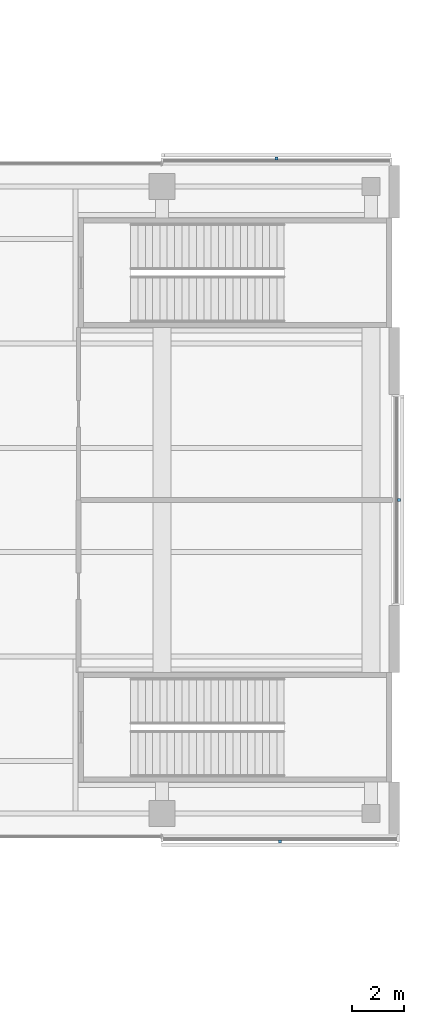
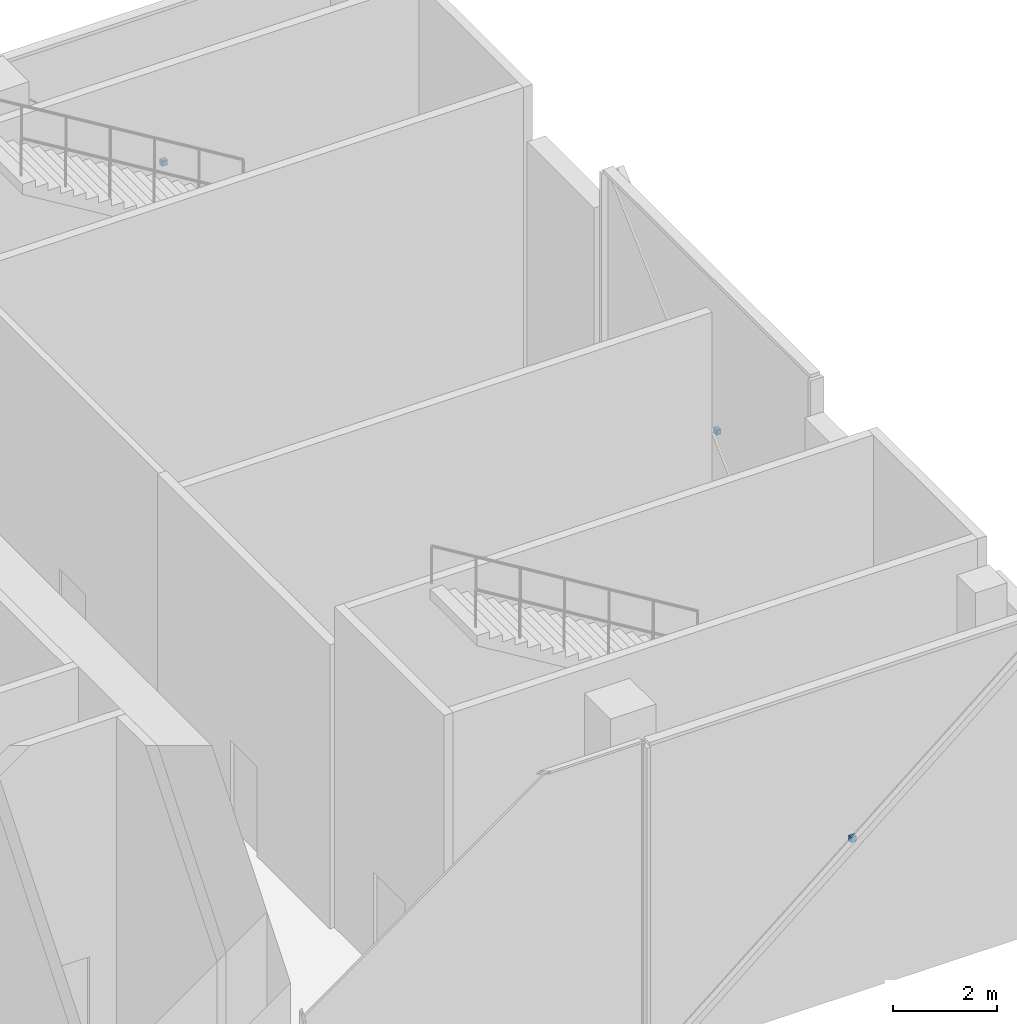
# One storey, part 22 of 25: 3 discrete accessories.
"""IFC4 building model written with IfcOpenShell, lengths in metres."""

import ifcopenshell
import ifcopenshell.guid

model = None  # the IFC model being written
_history = None  # IfcOwnerHistory: only IFC2X3 demands one
_inside = {}  # id of a spatial element -> (the spatial element, [elements in it])
_under = {}  # id of a project, library or spatial element -> (it, [spatial elements below it])
_declared = {}  # id of a project -> (the project, [libraries it declares])
_typed = {}  # id of a type object -> (the type object, [elements of that type])
_made_of = {}  # id of a material, layer set ... -> (it, [elements and type objects made of it])


def new_model(schema):
    """Start an empty IFC model of exactly this schema.

    Asked for "IFC4X3", IfcOpenShell would pick the latest addendum, in which some entities
    have other attributes; the version numbers below select the first issue.
    IFC2X3 requires an IfcOwnerHistory on every rooted entity: one is made here for all.
    """
    global model, _history
    if schema == "IFC4X3":
        model = ifcopenshell.file(schema_version=(4, 3, 0, 0))
    else:
        model = ifcopenshell.file(schema=schema)
    _inside.clear()
    _under.clear()
    _declared.clear()
    _typed.clear()
    _made_of.clear()
    _history = None
    if model.schema == "IFC2X3":
        org = make("IfcOrganization", Name="unknown")
        user = make(
            "IfcPersonAndOrganization",
            ThePerson=make("IfcPerson", FamilyName="unknown"),
            TheOrganization=org,
        )
        app = make(
            "IfcApplication",
            ApplicationDeveloper=org,
            Version="unknown",
            ApplicationFullName="unknown",
            ApplicationIdentifier="unknown",
        )
        _history = make(
            "IfcOwnerHistory",
            OwningUser=user,
            OwningApplication=app,
            ChangeAction="ADDED",
            CreationDate=0,
        )
    return model


def make(cls, **values):
    """One entity of the class cls with the attributes given. An attribute that is None is left unset."""
    return model.create_entity(
        cls, **{name: value for name, value in values.items() if value is not None}
    )


def rooted(cls, **values):
    """An entity with a GlobalId (a new one), such as an element, a storey or a relation."""
    return make(cls, GlobalId=ifcopenshell.guid.new(), OwnerHistory=_history, **values)


def si_unit(unit_type, name, prefix=None):
    """IfcSIUnit, for example si_unit("LENGTHUNIT", "METRE", prefix="MILLI")."""
    return make("IfcSIUnit", UnitType=unit_type, Prefix=prefix, Name=name)


def assignment(units):
    """IfcUnitAssignment: the units of a project."""
    return None if units is None else make("IfcUnitAssignment", Units=units)


def point(xyz):
    """IfcCartesianPoint."""
    return None if xyz is None else make("IfcCartesianPoint", Coordinates=xyz)


def direction(xyz):
    """IfcDirection."""
    return None if xyz is None else make("IfcDirection", DirectionRatios=xyz)


def frame(location, z_axis=None, x_axis=None):
    """IfcAxis2Placement3D, a coordinate frame: its origin and axes. An axis left out is left unset."""
    return make(
        "IfcAxis2Placement3D",
        Location=point(location),
        Axis=direction(z_axis),
        RefDirection=direction(x_axis),
    )


def frame_2d(location, x_axis=None):
    """IfcAxis2Placement2D, a coordinate frame in the plane: its origin and x axis."""
    return make(
        "IfcAxis2Placement2D", Location=point(location), RefDirection=direction(x_axis)
    )


def origin():
    """The frame at (0, 0, 0) with its axes left unset."""
    return frame((0.0, 0.0, 0.0))


def origin_2d():
    """The frame at (0, 0) in the plane with its x axis left unset."""
    return frame_2d((0.0, 0.0))


def place(relative_to, where):
    """IfcLocalPlacement: puts the frame where relative to a parent placement (None: the world)."""
    return make(
        "IfcLocalPlacement", PlacementRelTo=relative_to, RelativePlacement=where
    )


def context(
    kind, dimensions, precision=None, world=None, true_north=None, identifier=None
):
    """IfcGeometricRepresentationContext, for example the 3D "Model" context."""
    return make(
        "IfcGeometricRepresentationContext",
        ContextIdentifier=identifier,
        ContextType=kind,
        CoordinateSpaceDimension=dimensions,
        Precision=precision,
        WorldCoordinateSystem=world,
        TrueNorth=true_north,
    )


def subcontext(parent, identifier, kind, view, scale=None):
    """IfcGeometricRepresentationSubContext, for example "Body" below "Model"."""
    return make(
        "IfcGeometricRepresentationSubContext",
        ContextIdentifier=identifier,
        ContextType=kind,
        ParentContext=parent,
        TargetScale=scale,
        TargetView=view,
    )


def project(units=None, contexts=None):
    """IfcProject with its units and contexts."""
    return rooted(
        "IfcProject",
        Name="project",
        RepresentationContexts=contexts,
        UnitsInContext=assignment(units),
    )


def spatial(cls, under=None, at=None, **own):
    """A site, building, storey or space (cls), placed at a placement, below another one or the project."""
    s = rooted(cls, ObjectPlacement=at, **own)
    if under is not None:
        _under.setdefault(under.id(), (under, []))[1].append(s)
    return s


def profile(cls, at=None, kind="AREA", **sizes):
    """A parametric profile (cls). Its sizes go by their IFC names, for example OverallWidth=200.0."""
    return make(cls, ProfileType=kind, Position=at, **sizes)


def rectangle(**sizes):
    """IfcRectangleProfileDef."""
    return profile("IfcRectangleProfileDef", **sizes)


def extrude(swept, where, along, depth):
    """IfcExtrudedAreaSolid: the profile swept, set in the frame where, extruded along a direction by depth."""
    return make(
        "IfcExtrudedAreaSolid",
        SweptArea=swept,
        Position=where,
        ExtrudedDirection=direction(along),
        Depth=depth,
    )


def shape(context_of_items, identifier, shape_type, items):
    """IfcShapeRepresentation: the items that make up one representation, for example the "Body"."""
    return make(
        "IfcShapeRepresentation",
        ContextOfItems=context_of_items,
        RepresentationIdentifier=identifier,
        RepresentationType=shape_type,
        Items=items,
    )


def material(Name=None, Category=None):
    """IfcMaterial."""
    return make("IfcMaterial", Name=Name, Category=Category)


def made_of(thing, what):
    """Note that an element or type object is made of a material, layer set ...; save() writes the relation."""
    if what is not None:
        _made_of.setdefault(what.id(), (what, []))[1].append(thing)
    return thing


def type_object(cls, material=None, **own):
    """A type object (cls), such as IfcWallType, which elements share."""
    return made_of(rooted(cls, **own), material)


def element(
    cls,
    number,
    at=None,
    inside=None,
    cuts=None,
    type_object=None,
    material=None,
    context=None,
    identifier="Body",
    shape_type=None,
    held_by="IfcProductDefinitionShape",
    body=None,
    shapes=None,
    **own,
):
    """One element of the class cls, such as IfcWall. Its Tag is "e" and its number.

    at: its placement. inside: the storey or other place that contains it. cuts: it is an
    opening in that element (IfcRelVoidsElement). A single representation is given by context,
    identifier, shape_type and body (its items); several are given by shapes. held_by: the class
    of the entity that holds the representations. save() writes the other relations.
    """
    e = rooted(cls, Tag="e%d" % number, ObjectPlacement=at, **own)
    if body is not None:
        shapes = [shape(context, identifier, shape_type, body)]
    if shapes is not None:
        e.Representation = make(held_by, Representations=shapes)
    if inside is not None:
        _inside.setdefault(inside.id(), (inside, []))[1].append(e)
    if cuts is not None:
        rooted(
            "IfcRelVoidsElement", RelatingBuildingElement=cuts, RelatedOpeningElement=e
        )
    if type_object is not None:
        _typed.setdefault(type_object.id(), (type_object, []))[1].append(e)
    return made_of(e, material)


def aggregate(whole, parts):
    """IfcRelAggregates: a whole, such as a stair, and the parts it consists of."""
    return rooted("IfcRelAggregates", RelatingObject=whole, RelatedObjects=parts)


def save(model, path):
    """Write the relations noted so far, then the file.

    IfcRelAggregates (storeys below a building ...), IfcRelContainedInSpatialStructure (elements
    in a storey), IfcRelDefinesByType, IfcRelAssociatesMaterial and IfcRelDeclares: one each for
    every whole, place, type object, material and project.
    """
    for whole, parts in _under.values():
        aggregate(whole, parts)
    for where, things in _inside.values():
        rooted(
            "IfcRelContainedInSpatialStructure",
            RelatedElements=things,
            RelatingStructure=where,
        )
    for kind, things in _typed.values():
        rooted("IfcRelDefinesByType", RelatedObjects=things, RelatingType=kind)
    for what, things in _made_of.values():
        rooted("IfcRelAssociatesMaterial", RelatedObjects=things, RelatingMaterial=what)
    for by, libraries in _declared.values():
        rooted("IfcRelDeclares", RelatingContext=by, RelatedDefinitions=libraries)
    model.write(path)


model = new_model("IFC4")

# Units and contexts
model_context = context("Model", 3, precision=1e-05, world=origin(), true_north=direction((0.0, 1.0)))
body_context = subcontext(model_context, "Body", "Model", "MODEL_VIEW")
ifc_project = project(units=[si_unit("LENGTHUNIT", "METRE"), si_unit("AREAUNIT", "SQUARE_METRE"), si_unit("VOLUMEUNIT", "CUBIC_METRE"), si_unit("PLANEANGLEUNIT", "RADIAN"), si_unit("MASSUNIT", "GRAM", prefix="KILO")], contexts=[model_context])

# Site, building, storey
site_placement = place(None, origin())
site = spatial("IfcSite", under=ifc_project, at=site_placement, CompositionType="ELEMENT")
building_placement = place(site_placement, origin())
building = spatial("IfcBuilding", under=site, at=building_placement, Name="Crosswind Convention Tower", CompositionType="ELEMENT")
storey_placement = place(building_placement, frame((0.0, 0.0, 17.5)))
storey = spatial("IfcBuildingStorey", under=building, at=storey_placement, Name="L02", CompositionType="ELEMENT", Elevation=17.5)

# Discrete accessories
ifc_material = material(Name="Stainless steel", Category="steel")
discrete_accessory_type = type_object("IfcDiscreteAccessoryType", Name="BAGUETTE BRACKET BK1", PredefinedType="BRACKET", material=ifc_material)
for number, where, z_axis, x_axis, name in (
    (1, (170.073974609375, 100.0, 3.25), (0.0, 0.0, 1.0), (0.0, 1.0, 0.0), "BK1 baguette bracket"),
    (2, (165.3798828125, 113.073974609375, 3.25), (0.0, 0.0, 1.0), (-1.0, 0.0, 0.0), "BK1 baguette bracket"),
    (3, (165.5224609375, 86.926025390625, 3.25), (0.0, 0.0, 1.0), (1.0, 0.0, 0.0), "BK1 baguette bracket"),
):
    element("IfcDiscreteAccessory", number, at=place(storey_placement, frame(where, z_axis=z_axis, x_axis=x_axis)), inside=storey, type_object=discrete_accessory_type, Name=name, PredefinedType="BRACKET", context=body_context, shape_type="SweptSolid", body=[
        extrude(rectangle(XDim=0.1201171875, YDim=0.10009765625, at=origin_2d()), origin(), (0.0, 0.0, 1.0), 0.1201171875),
    ])

save(model, "model.ifc")
